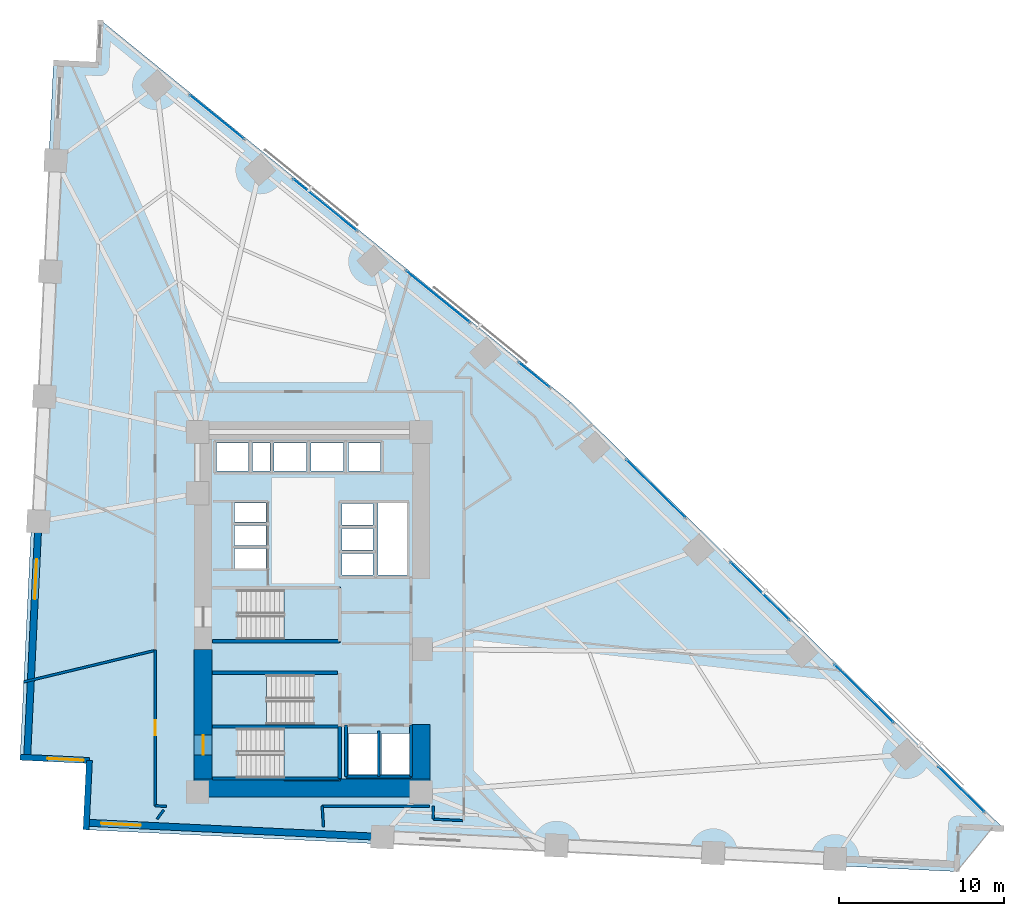
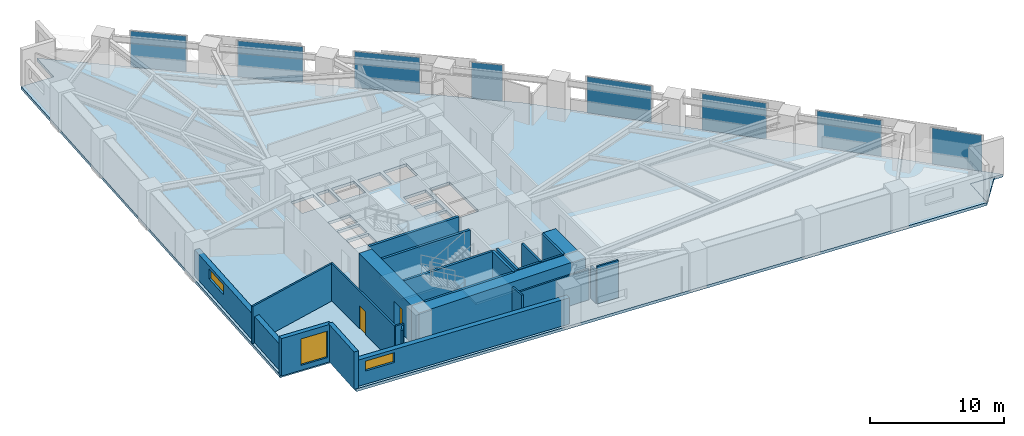
# One storey, part 12 of 17: 24 walls, 8 plates, 5 slabs, 3 windows, 2 doors, 5 openings, 11 elements without a shape of their own.
"""IFC4 building model written with IfcOpenShell, lengths in metres."""

from ifc_helpers import new_model, si_unit, direction, frame, frame_2d, origin, origin_2d, place, context, subcontext, project, spatial, polyline, rectangle, outline, extrude, material, layer, layer_set, type_object, element, fill, aggregate, save


model = new_model("IFC4")

# Units and contexts
model_context = context("Model", 3, precision=1e-05, world=origin(), true_north=direction((0.0, 1.0)))
body_context = subcontext(model_context, "Body", "Model", "MODEL_VIEW")
ifc_project = project(units=[si_unit("LENGTHUNIT", "METRE"), si_unit("AREAUNIT", "SQUARE_METRE"), si_unit("VOLUMEUNIT", "CUBIC_METRE"), si_unit("PLANEANGLEUNIT", "RADIAN"), si_unit("MASSUNIT", "GRAM", prefix="KILO")], contexts=[model_context])

# Site, building, storey
site_placement = place(None, origin())
site = spatial("IfcSite", under=ifc_project, at=site_placement, CompositionType="ELEMENT")
building_placement = place(site_placement, origin())
building = spatial("IfcBuilding", under=site, at=building_placement, Name="Narakoshi Arena Tower", CompositionType="ELEMENT")
storey_placement = place(building_placement, frame((0.0, 0.0, 48.300048828125)))
storey = spatial("IfcBuildingStorey", under=building, at=storey_placement, Name="L12", CompositionType="ELEMENT", Elevation=48.300048828125)

# Curtain wall, plate
ifc_material_1 = material(Name="Anodised bronze aluminium 6063-T6", Category="aluminium")
curtain_wall_type = type_object("IfcCurtainWallType", Name="CW-HYP-LOW", PredefinedType="NOTDEFINED", material=ifc_material_1)
curtain_wall_1_placement = place(storey_placement, origin())
curtain_wall_1 = element("IfcCurtainWall", 1, at=curtain_wall_1_placement, inside=storey, type_object=curtain_wall_type, Name="L12 Folded Hypotenuse Curtain Wall 1-1", PredefinedType="NOTDEFINED")
ifc_material_2 = material(Name="Bronze-tinted low-E laminated glass", Category="glass")
ifc_layer_1 = layer(ifc_material_2, 0.031982421875)
ifc_layer_set_1 = layer_set([ifc_layer_1], Name="Bronze-tinted low-E laminated glass")
plate_type = type_object("IfcPlateType", Name="PLT-GLZ-32", PredefinedType="CURTAIN_PANEL", material=ifc_layer_set_1)
plate_1_placement = place(storey_placement, frame((118.277587890625, 34.8505859375, 0.06494140625), z_axis=(0.0, 0.0, 1.0), x_axis=(-0.712541277695, 0.701630192894, 0.0)))
plate_1 = element("IfcPlate", 2, at=plate_1_placement, type_object=plate_type, Name="CW-01 panel 1.1", PredefinedType="CURTAIN_PANEL", context=body_context, shape_type="SweptSolid", body=[
    extrude(rectangle(XDim=3.85498046875, YDim=0.031982421875, at=origin_2d()), origin(), (0.0, 0.0, 1.0), 3.27001953125),
])
aggregate(curtain_wall_1, [plate_1])

curtain_wall_2_placement = place(storey_placement, origin())
curtain_wall_2 = element("IfcCurtainWall", 3, at=curtain_wall_2_placement, inside=storey, type_object=curtain_wall_type, Name="L12 Folded Hypotenuse Curtain Wall 1-2", PredefinedType="NOTDEFINED")
plate_2_placement = place(storey_placement, frame((112.375, 40.66259765625, 0.06494140625), z_axis=(0.0, 0.0, 1.0), x_axis=(-0.712548329451, 0.701623031404, 0.0)))
plate_2 = element("IfcPlate", 4, at=plate_2_placement, type_object=plate_type, Name="CW-01 panel 1.1", PredefinedType="CURTAIN_PANEL", context=body_context, shape_type="SweptSolid", body=[
    extrude(rectangle(XDim=4.966552734375, YDim=0.031982421875, at=origin_2d()), origin(), (0.0, 0.0, 1.0), 3.27001953125),
])
aggregate(curtain_wall_2, [plate_2])

curtain_wall_3_placement = place(storey_placement, origin())
curtain_wall_3 = element("IfcCurtainWall", 5, at=curtain_wall_3_placement, inside=storey, type_object=curtain_wall_type, Name="L12 Folded Hypotenuse Curtain Wall 1-3", PredefinedType="NOTDEFINED")
plate_3_placement = place(storey_placement, frame((106.07666015625, 46.864501953125, 0.06494140625), z_axis=(0.0, 0.0, 1.0), x_axis=(-0.712538708053, 0.701632802488, 0.0)))
plate_3 = element("IfcPlate", 6, at=plate_3_placement, type_object=plate_type, Name="CW-01 panel 1.1", PredefinedType="CURTAIN_PANEL", context=body_context, shape_type="SweptSolid", body=[
    extrude(rectangle(XDim=4.966552734375, YDim=0.031982421875, at=origin_2d()), origin(), (0.0, 0.0, 1.0), 3.27001953125),
])
aggregate(curtain_wall_3, [plate_3])

curtain_wall_4_placement = place(storey_placement, origin())
curtain_wall_4 = element("IfcCurtainWall", 7, at=curtain_wall_4_placement, inside=storey, type_object=curtain_wall_type, Name="L12 Folded Hypotenuse Curtain Wall 1-4", PredefinedType="NOTDEFINED")
plate_4_placement = place(storey_placement, frame((99.7783203125, 53.06640625, 0.06494140625), z_axis=(0.0, 0.0, 1.0), x_axis=(-0.712538708053, 0.701632802488, 0.0)))
plate_4 = element("IfcPlate", 8, at=plate_4_placement, type_object=plate_type, Name="CW-01 panel 1.1", PredefinedType="CURTAIN_PANEL", context=body_context, shape_type="SweptSolid", body=[
    extrude(rectangle(XDim=4.966552734375, YDim=0.031982421875, at=origin_2d()), origin(), (0.0, 0.0, 1.0), 3.27001953125),
])
aggregate(curtain_wall_4, [plate_4])

curtain_wall_5_placement = place(storey_placement, origin())
curtain_wall_5 = element("IfcCurtainWall", 9, at=curtain_wall_5_placement, inside=storey, type_object=curtain_wall_type, Name="L12 Folded Hypotenuse Curtain Wall 2-1", PredefinedType="NOTDEFINED")
plate_5_placement = place(storey_placement, frame((92.40087890625, 59.964111328125, 0.06494140625), z_axis=(0.0, 0.0, 1.0), x_axis=(-0.776007918256, 0.63072316495, 0.0)))
plate_5 = element("IfcPlate", 10, at=plate_5_placement, type_object=plate_type, Name="CW-01 panel 1.1", PredefinedType="CURTAIN_PANEL", context=body_context, shape_type="SweptSolid", body=[
    extrude(rectangle(XDim=2.35888671875, YDim=0.031982421875, at=origin_2d()), origin(), (0.0, 0.0, 1.0), 3.27001953125),
])
aggregate(curtain_wall_5, [plate_5])

curtain_wall_6_placement = place(storey_placement, origin())
curtain_wall_6 = element("IfcCurtainWall", 11, at=curtain_wall_6_placement, inside=storey, type_object=curtain_wall_type, Name="L12 Folded Hypotenuse Curtain Wall 2-2", PredefinedType="NOTDEFINED")
plate_6_placement = place(storey_placement, frame((86.566650390625, 64.7060546875, 0.06494140625), z_axis=(0.0, 0.0, 1.0), x_axis=(-0.775998434519, 0.630734833051, 0.0)))
plate_6 = element("IfcPlate", 12, at=plate_6_placement, type_object=plate_type, Name="CW-01 panel 1.1", PredefinedType="CURTAIN_PANEL", context=body_context, shape_type="SweptSolid", body=[
    extrude(rectangle(XDim=4.932373046875, YDim=0.031982421875, at=origin_2d()), origin(), (0.0, 0.0, 1.0), 3.27001953125),
])
aggregate(curtain_wall_6, [plate_6])

curtain_wall_7_placement = place(storey_placement, origin())
curtain_wall_7 = element("IfcCurtainWall", 13, at=curtain_wall_7_placement, inside=storey, type_object=curtain_wall_type, Name="L12 Folded Hypotenuse Curtain Wall 2-3", PredefinedType="NOTDEFINED")
plate_7_placement = place(storey_placement, frame((79.73388671875, 70.259765625, 0.06494140625), z_axis=(0.0, 0.0, 1.0), x_axis=(-0.776008064665, 0.630722984816, 0.0)))
plate_7 = element("IfcPlate", 14, at=plate_7_placement, type_object=plate_type, Name="CW-01 panel 1.1", PredefinedType="CURTAIN_PANEL", context=body_context, shape_type="SweptSolid", body=[
    extrude(rectangle(XDim=4.932373046875, YDim=0.031982421875, at=origin_2d()), origin(), (0.0, 0.0, 1.0), 3.27001953125),
])
aggregate(curtain_wall_7, [plate_7])

curtain_wall_8_placement = place(storey_placement, origin())
curtain_wall_8 = element("IfcCurtainWall", 15, at=curtain_wall_8_placement, inside=storey, type_object=curtain_wall_type, Name="L12 Folded Hypotenuse Curtain Wall 2-4", PredefinedType="NOTDEFINED")
plate_8_placement = place(storey_placement, frame((73.18603515625, 75.58203125, 0.06494140625), z_axis=(0.0, 0.0, 1.0), x_axis=(-0.775999332044, 0.630733728817, 0.0)))
plate_8 = element("IfcPlate", 16, at=plate_8_placement, type_object=plate_type, Name="CW-01 panel 1.1", PredefinedType="CURTAIN_PANEL", context=body_context, shape_type="SweptSolid", body=[
    extrude(rectangle(XDim=4.198486328125, YDim=0.031982421875, at=origin_2d()), origin(), (0.0, 0.0, 1.0), 3.27001953125),
])
aggregate(curtain_wall_8, [plate_8])

# Stair, slab
ifc_material_3 = material(Name="Concrete C45/55", Category="concrete")
stair_type = type_object("IfcStairType", Name="STR-CORE-360", PredefinedType="TWO_STRAIGHT_RUN_STAIR", material=ifc_material_3)
stair_1_placement = place(storey_placement, origin())
stair_1 = element("IfcStair", 17, at=stair_1_placement, inside=storey, type_object=stair_type, Name="L12 Core Escape Stair ST1", PredefinedType="TWO_STRAIGHT_RUN_STAIR")
ifc_layer_2 = layer(ifc_material_3, 0.18994140625)
ifc_layer_set_2 = layer_set([ifc_layer_2], Name="Concrete C45/55")
slab_type_1 = type_object("IfcSlabType", Name="SLB-LND-190", PredefinedType="LANDING", material=ifc_layer_set_2)
slab_1_placement = place(storey_placement, frame((0.0, 0.0, 1.60986328125)))
slab_1 = element("IfcSlab", 18, at=slab_1_placement, type_object=slab_type_1, Name="ST1 landing 1", PredefinedType="LANDING", context=body_context, shape_type="SweptSolid", body=[
    extrude(outline(polyline([(77.25, 35.3701171875), (80.679931640625, 35.3701171875), (80.679931640625, 38.72998046875), (77.25, 38.72998046875), (77.25, 35.3701171875)])), origin(), (0.0, 0.0, 1.0), 0.190185546875),
])
aggregate(stair_1, [slab_1])

stair_2_placement = place(storey_placement, origin())
stair_2 = element("IfcStair", 19, at=stair_2_placement, inside=storey, type_object=stair_type, Name="L12 Core Escape Stair ST2", PredefinedType="TWO_STRAIGHT_RUN_STAIR")
slab_2_placement = place(storey_placement, frame((0.0, 0.0, 1.60986328125)))
slab_2 = element("IfcSlab", 20, at=slab_2_placement, type_object=slab_type_1, Name="ST2 landing 1", PredefinedType="LANDING", context=body_context, shape_type="SweptSolid", body=[
    extrude(outline(polyline([(72.77001953125, 38.6201171875), (76.199951171875, 38.6201171875), (76.199951171875, 41.97998046875), (72.77001953125, 41.97998046875), (72.77001953125, 38.6201171875)])), origin(), (0.0, 0.0, 1.0), 0.190185546875),
])
aggregate(stair_2, [slab_2])

stair_3_placement = place(storey_placement, origin())
stair_3 = element("IfcStair", 21, at=stair_3_placement, inside=storey, type_object=stair_type, Name="L12 Core Escape Stair ST3", PredefinedType="TWO_STRAIGHT_RUN_STAIR")
slab_3_placement = place(storey_placement, frame((0.0, 0.0, 1.60986328125)))
slab_3 = element("IfcSlab", 22, at=slab_3_placement, type_object=slab_type_1, Name="ST3 landing 1", PredefinedType="LANDING", context=body_context, shape_type="SweptSolid", body=[
    extrude(outline(polyline([(77.25, 43.77001953125), (80.679931640625, 43.77001953125), (80.679931640625, 47.1298828125), (77.25, 47.1298828125), (77.25, 43.77001953125)])), origin(), (0.0, 0.0, 1.0), 0.190185546875),
])
aggregate(stair_3, [slab_3])

# Slabs
ifc_material_4 = material(Name="Concrete C50/60", Category="concrete")
ifc_layer_3 = layer(ifc_material_4, 0.260009765625)
ifc_layer_set_3 = layer_set([ifc_layer_3], Name="Concrete C50/60")
slab_type_2 = type_object("IfcSlabType", Name="SLB-SKY-260", PredefinedType="FLOOR", material=ifc_layer_set_3)
slab_4_placement = place(storey_placement, frame((0.0, 0.0, -0.260009765625)))
element("IfcSlab", 23, at=slab_4_placement, inside=storey, type_object=slab_type_2, Name="L12 Structural Floor Slab", PredefinedType="FLOOR", context=body_context, shape_type="SweptSolid", body=[
    extrude(outline(polyline([(65.26025390625, 32.416015625), (117.99951171875, 29.8828125), (118.130615234375, 32.609619140625), (120.857421875, 32.478515625), (94.614013671875, 58.31982421875), (66.144287109375, 81.4599609375), (66.013427734375, 78.733154296875), (63.28662109375, 78.8642578125), (61.2666015625, 36.8125), (65.4619140625, 36.611083984375), (65.26025390625, 32.416015625)]), holes=[polyline([(74.47998046875, 35.550048828125), (74.47998046875, 38.550048828125), (80.5, 38.550048828125), (80.5, 35.550048828125), (74.47998046875, 35.550048828125)]), polyline([(81.14990234375, 35.75), (81.14990234375, 38.25), (82.89990234375, 38.25), (82.89990234375, 35.75), (81.14990234375, 35.75)]), polyline([(83.14990234375, 35.75), (83.14990234375, 38.25), (84.89990234375, 38.25), (84.89990234375, 35.75), (83.14990234375, 35.75)]), polyline([(72.949951171875, 38.800048828125), (72.949951171875, 41.800048828125), (78.969970703125, 41.800048828125), (78.969970703125, 38.800048828125), (72.949951171875, 38.800048828125)]), polyline([(74.47998046875, 43.949951171875), (74.47998046875, 46.949951171875), (80.5, 46.949951171875), (80.5, 43.949951171875), (74.47998046875, 43.949951171875)]), polyline([(82.949951171875, 47.840087890625), (82.949951171875, 52.199951171875), (84.699951171875, 52.199951171875), (84.699951171875, 47.840087890625), (82.949951171875, 47.840087890625)]), polyline([(80.75, 47.85009765625), (80.75, 49.14990234375), (82.64990234375, 49.14990234375), (82.64990234375, 47.85009765625), (80.75, 47.85009765625)]), polyline([(74.25, 48.25), (74.25, 49.449951171875), (76.14990234375, 49.449951171875), (76.14990234375, 48.25), (74.25, 48.25)]), polyline([(80.75, 49.3701171875), (80.75, 50.669921875), (82.64990234375, 50.669921875), (82.64990234375, 49.3701171875), (80.75, 49.3701171875)]), polyline([(74.25, 49.64990234375), (74.25, 50.85009765625), (76.14990234375, 50.85009765625), (76.14990234375, 49.64990234375), (74.25, 49.64990234375)]), polyline([(80.75, 50.889892578125), (80.75, 52.18994140625), (82.64990234375, 52.18994140625), (82.64990234375, 50.889892578125), (80.75, 50.889892578125)]), polyline([(74.25, 51.050048828125), (74.25, 52.2099609375), (76.14990234375, 52.2099609375), (76.14990234375, 51.050048828125), (74.25, 51.050048828125)]), polyline([(73.14990234375, 54.14990234375), (73.14990234375, 55.85009765625), (75.10009765625, 55.85009765625), (75.10009765625, 54.14990234375), (73.14990234375, 54.14990234375)]), polyline([(75.35009765625, 54.14990234375), (75.35009765625, 55.85009765625), (76.39990234375, 55.85009765625), (76.39990234375, 54.14990234375), (75.35009765625, 54.14990234375)]), polyline([(76.64990234375, 54.14990234375), (76.64990234375, 55.85009765625), (78.60009765625, 55.85009765625), (78.60009765625, 54.14990234375), (76.64990234375, 54.14990234375)]), polyline([(78.89990234375, 55.85009765625), (80.85009765625, 55.85009765625), (80.85009765625, 54.14990234375), (78.89990234375, 54.14990234375), (78.89990234375, 55.85009765625)]), polyline([(81.14990234375, 55.85009765625), (83.10009765625, 55.85009765625), (83.10009765625, 54.14990234375), (81.14990234375, 54.14990234375), (81.14990234375, 55.85009765625)])]), origin(), (0.0, 0.0, 1.0), 0.260009765625),
])
ifc_layer_4 = layer(ifc_material_3, 0.239990234375)
ifc_layer_set_4 = layer_set([ifc_layer_4], Name="Concrete C45/55")
slab_type_3 = type_object("IfcSlabType", Name="SLB-TERR-240", PredefinedType="ROOF", material=ifc_layer_set_4)
slab_5_placement = place(storey_placement, frame((0.0, 0.0, -0.239990234375)))
element("IfcSlab", 24, at=slab_5_placement, inside=storey, type_object=slab_type_3, Name="L12 Corner Notch Loggia Balcony Slab", PredefinedType="ROOF", context=body_context, shape_type="SweptSolid", body=[
    extrude(outline(polyline([(120.14697265625, 32.510986328125), (118.132080078125, 32.60791015625), (118.001953125, 29.885009765625), (120.14697265625, 32.510986328125)])), origin(), (0.0, 0.0, 1.0), 0.239990234375),
])

# Wall, opening, door
ifc_material_5 = material(Name="Concrete C60/75", Category="concrete")
ifc_layer_5 = layer(ifc_material_5, 1.10009765625)
ifc_layer_set_5 = layer_set([ifc_layer_5], Name="Concrete C60/75")
wall_type_1 = type_object("IfcWallType", Name="WL-CORE-1100", PredefinedType="SHEAR", material=ifc_layer_set_5)
wall_1_placement = place(storey_placement, frame((72.35009765625, 35.5, -0.260009765625), z_axis=(0.0, 0.0, 1.0), x_axis=(0.0, 1.0, 0.0)))
wall_1 = element("IfcWall", 25, at=wall_1_placement, inside=storey, type_object=wall_type_1, Name="L12 Central Core Shear Wall CW-APX-W", PredefinedType="SHEAR", context=body_context, shape_type="SweptSolid", body=[
    extrude(rectangle(XDim=7.85009765625, YDim=1.10009765625, at=frame_2d((3.925048828125, 0.0))), origin(), (0.0, 0.0, 1.0), 3.659912109375),
])
opening_1_placement = place(wall_1_placement, frame((1.449951171875, 0.0, 0.260009765625)))
opening_1 = element("IfcOpeningElement", 26, at=opening_1_placement, cuts=wall_1, Name="Opening D-03", PredefinedType="OPENING", context=body_context, shape_type="SweptSolid", body=[
    extrude(rectangle(XDim=1.199951171875, YDim=2.199951171875, at=frame_2d((0.60009765625, 1.10009765625))), frame((0.0, 0.56005859375, 0.0), z_axis=(0.0, -1.0, 0.0), x_axis=(1.0, 0.0, 0.0)), (0.0, 0.0, 1.0), 1.1201171875),
])
ifc_material_6 = material(Name="Painted galvanized steel", Category="steel")
door_type_1 = type_object("IfcDoorType", Name="DR-STR-1200", OperationType="NOTDEFINED", PredefinedType="USERDEFINED", material=ifc_material_6)
door_1_placement = place(opening_1_placement, frame((1.199951171875, 0.0, 0.0), z_axis=(0.0, 0.0, 1.0), x_axis=(-1.0, 0.0, 0.0)))
door_1 = element("IfcDoor", 27, at=door_1_placement, inside=storey, type_object=door_type_1, Name="DR-L12-002", ObjectType="EXITDOOR", OperationType="SINGLE_SWING_LEFT", OverallHeight=2.199951171875, OverallWidth=1.199951171875, PredefinedType="USERDEFINED", context=body_context, shape_type="SweptSolid", body=[
    extrude(rectangle(XDim=1.199951171875, YDim=2.199951171875, at=frame_2d((0.60009765625, 1.10009765625))), frame((0.0, 0.02490234375, 0.0), z_axis=(0.0, -1.0, 0.0), x_axis=(1.0, 0.0, 0.0)), (0.0, 0.0, 1.0), 0.050048828125),
])
fill(opening_1, door_1)

# Walls
wall_2_placement = place(storey_placement, frame((71.800048828125, 34.949951171875, -0.260009765625), z_axis=(0.0, 0.0, 1.0), x_axis=(1.0, 0.0, 0.0)))
element("IfcWall", 28, at=wall_2_placement, inside=storey, type_object=wall_type_1, Name="L12 Central Core Shear Wall CW-APX-S", PredefinedType="SHEAR", context=body_context, shape_type="SweptSolid", body=[
    extrude(rectangle(XDim=14.300048828125, YDim=1.10009765625, at=frame_2d((7.14990234375, 0.0))), origin(), (0.0, 0.0, 1.0), 3.659912109375),
])
wall_3_placement = place(storey_placement, frame((85.550048828125, 35.5, -0.260009765625), z_axis=(0.0, 0.0, 1.0), x_axis=(0.0, 1.0, 0.0)))
element("IfcWall", 29, at=wall_3_placement, inside=storey, type_object=wall_type_1, Name="L12 Central Core Shear Wall CW-APX-E", PredefinedType="SHEAR", context=body_context, shape_type="SweptSolid", body=[
    extrude(rectangle(XDim=3.300048828125, YDim=1.10009765625, at=frame_2d((1.64990234375, 0.0))), origin(), (0.0, 0.0, 1.0), 3.659912109375),
])

# Wall, opening, window
ifc_material_7 = material(Name="Precast concrete C45/55", Category="concrete")
ifc_layer_6 = layer(ifc_material_7, 0.419921875)
ifc_layer_set_6 = layer_set([ifc_layer_6], Name="Precast concrete C45/55")
wall_type_2 = type_object("IfcWallType", Name="WL-POD-420", PredefinedType="SOLIDWALL", material=ifc_layer_set_6)
wall_4_placement = place(storey_placement, frame((65.28076171875, 32.840576171875, 0.0), z_axis=(0.0, 0.0, 1.0), x_axis=(0.998848298084, -0.047979968897, 0.0)))
wall_4 = element("IfcWall", 30, at=wall_4_placement, inside=storey, type_object=wall_type_2, Name="L12 Architectural Concrete Facade Wall LEGA-1", PredefinedType="SOLIDWALL", context=body_context, shape_type="SweptSolid", body=[
    extrude(rectangle(XDim=17.951904296875, YDim=0.419921875, at=frame_2d((8.97607421875, 0.0))), origin(), (0.0, 0.0, 1.0), 2.385009765625),
])
opening_2_placement = place(wall_4_placement, frame((0.89990234375, 0.0, 1.199951171875)))
opening_2 = element("IfcOpeningElement", 31, at=opening_2_placement, cuts=wall_4, Name="Opening WN-01", PredefinedType="OPENING", context=body_context, shape_type="SweptSolid", body=[
    extrude(rectangle(XDim=2.39990234375, YDim=0.89990234375, at=frame_2d((1.199951171875, 0.449951171875))), frame((0.0, 0.219970703125, 0.0), z_axis=(0.0, -1.0, 0.0), x_axis=(1.0, 0.0, 0.0)), (0.0, 0.0, 1.0), 0.43994140625),
])
window_type_1 = type_object("IfcWindowType", Name="WIN-SLT-24x09", PartitioningType="SINGLE_PANEL", PredefinedType="WINDOW", material=ifc_material_2)
window_1_placement = place(opening_2_placement, origin())
window_1 = element("IfcWindow", 32, at=window_1_placement, inside=storey, type_object=window_type_1, Name="L12 LEGA1 Horizontal Slot Window 1", OverallHeight=0.89990234375, OverallWidth=2.39990234375, PartitioningType="SINGLE_PANEL", PredefinedType="WINDOW", context=body_context, shape_type="SweptSolid", body=[
    extrude(rectangle(XDim=2.39990234375, YDim=0.89990234375, at=frame_2d((1.199951171875, 0.449951171875))), frame((0.0, 0.030029296875, 0.0), z_axis=(0.0, -1.0, 0.0), x_axis=(1.0, 0.0, 0.0)), (0.0, 0.0, 1.0), 0.06005859375),
])
fill(opening_2, window_1)

wall_5_placement = place(storey_placement, frame((62.3779296875, 51.08984375, 0.0), z_axis=(0.0, 0.0, 1.0), x_axis=(-0.047978424452, -0.99884837227, 0.0)))
wall_5 = element("IfcWall", 33, at=wall_5_placement, inside=storey, type_object=wall_type_2, Name="L12 Architectural Concrete Facade Wall LEGB-3", PredefinedType="SOLIDWALL", context=body_context, shape_type="SweptSolid", body=[
    extrude(rectangle(XDim=14.314208984375, YDim=0.419921875, at=frame_2d((7.1572265625, 0.0))), origin(), (0.0, 0.0, 1.0), 2.385009765625),
])
opening_3_placement = place(wall_5_placement, frame((2.300048828125, 0.0, 1.199951171875)))
opening_3 = element("IfcOpeningElement", 34, at=opening_3_placement, cuts=wall_5, Name="Opening WN-01", PredefinedType="OPENING", context=body_context, shape_type="SweptSolid", body=[
    extrude(rectangle(XDim=2.39990234375, YDim=0.89990234375, at=frame_2d((1.199951171875, 0.449951171875))), frame((0.0, 0.219970703125, 0.0), z_axis=(0.0, -1.0, 0.0), x_axis=(1.0, 0.0, 0.0)), (0.0, 0.0, 1.0), 0.43994140625),
])
window_2_placement = place(opening_3_placement, origin())
window_2 = element("IfcWindow", 35, at=window_2_placement, inside=storey, type_object=window_type_1, Name="L12 LEGB3 Horizontal Slot Window 1", OverallHeight=0.89990234375, OverallWidth=2.39990234375, PartitioningType="SINGLE_PANEL", PredefinedType="WINDOW", context=body_context, shape_type="SweptSolid", body=[
    extrude(rectangle(XDim=2.39990234375, YDim=0.89990234375, at=frame_2d((1.199951171875, 0.449951171875))), frame((0.0, 0.030029296875, 0.0), z_axis=(0.0, -1.0, 0.0), x_axis=(1.0, 0.0, 0.0)), (0.0, 0.0, 1.0), 0.06005859375),
])
fill(opening_3, window_2)

wall_6_placement = place(storey_placement, frame((61.2666015625, 36.8125, 0.0), z_axis=(0.0, 0.0, 1.0), x_axis=(0.998849519138, -0.047954542207, 0.0)))
wall_6 = element("IfcWall", 36, at=wall_6_placement, inside=storey, type_object=wall_type_2, Name="L12 Re-Entrant Corner Notch Wall NTA-1", PredefinedType="SOLIDWALL", context=body_context, shape_type="SweptSolid", body=[
    extrude(rectangle(XDim=4.2001953125, YDim=0.360107421875, at=frame_2d((2.10009765625, 0.0))), origin(), (0.0, 0.0, 1.0), 3.39990234375),
])
opening_4_placement = place(wall_6_placement, frame((1.659912109375, 0.0, 0.449951171875)))
opening_4 = element("IfcOpeningElement", 37, at=opening_4_placement, cuts=wall_6, Name="Opening WN-07", PredefinedType="OPENING", context=body_context, shape_type="SweptSolid", body=[
    extrude(rectangle(XDim=2.199951171875, YDim=2.39990234375, at=frame_2d((1.10009765625, 1.199951171875))), frame((0.0, 0.18994140625, 0.0), z_axis=(0.0, -1.0, 0.0), x_axis=(1.0, 0.0, 0.0)), (0.0, 0.0, 1.0), 0.380126953125),
])
window_type_2 = type_object("IfcWindowType", Name="WIN-NTC-22x24", PartitioningType="SINGLE_PANEL", PredefinedType="WINDOW", material=ifc_material_2)
window_3_placement = place(opening_4_placement, origin())
window_3 = element("IfcWindow", 38, at=window_3_placement, inside=storey, type_object=window_type_2, Name="L12 Corner Notch Window NTA", OverallHeight=2.39990234375, OverallWidth=2.199951171875, PartitioningType="SINGLE_PANEL", PredefinedType="WINDOW", context=body_context, shape_type="SweptSolid", body=[
    extrude(rectangle(XDim=2.199951171875, YDim=2.39990234375, at=frame_2d((1.10009765625, 1.199951171875))), frame((0.0, 0.030029296875, 0.0), z_axis=(0.0, -1.0, 0.0), x_axis=(1.0, 0.0, 0.0)), (0.0, 0.0, 1.0), 0.06005859375),
])
fill(opening_4, window_3)

# Walls
wall_7_placement = place(storey_placement, frame((65.4619140625, 36.611083984375, 0.0), z_axis=(0.0, 0.0, 1.0), x_axis=(-0.048015322758, -0.998846599224, 0.0)))
element("IfcWall", 39, at=wall_7_placement, inside=storey, type_object=wall_type_2, Name="L12 Re-Entrant Corner Notch Wall NTA-2", PredefinedType="SOLIDWALL", context=body_context, shape_type="SweptSolid", body=[
    extrude(rectangle(XDim=4.199951171875, YDim=0.360107421875, at=frame_2d((2.10009765625, 0.0))), origin(), (0.0, 0.0, 1.0), 3.39990234375),
])
ifc_material_8 = material(Name="Concrete C40/50", Category="concrete")
ifc_layer_7 = layer(ifc_material_8, 0.280029296875)
ifc_layer_set_7 = layer_set([ifc_layer_7], Name="Concrete C40/50")
wall_type_3 = type_object("IfcWallType", Name="WL-RISER-280", PredefinedType="PLUMBINGWALL", material=ifc_layer_set_7)
wall_8_placement = place(storey_placement, frame((83.0, 35.64990234375, 0.0), z_axis=(0.0, 0.0, 1.0), x_axis=(0.0, 1.0, 0.0)))
element("IfcWall", 40, at=wall_8_placement, inside=storey, type_object=wall_type_3, Name="L12 Core Wall FF-DIV", PredefinedType="PLUMBINGWALL", context=body_context, shape_type="SweptSolid", body=[
    extrude(rectangle(XDim=2.75, YDim=0.159912109375, at=frame_2d((1.375, 0.0))), origin(), (0.0, 0.0, 1.0), 3.39990234375),
])
ifc_layer_8 = layer(ifc_material_4, 0.35009765625)
ifc_layer_set_8 = layer_set([ifc_layer_8], Name="Concrete C50/60")
wall_type_4 = type_object("IfcWallType", Name="WL-SHAFT-350", PredefinedType="SOLIDWALL", material=ifc_layer_set_8)
for number, where, z_axis, x_axis, name in (
    (41, (72.919921875, 35.52001953125, -0.260009765625), (0.0, 0.0, 1.0), (1.0, 0.0, 0.0), "L12 Core Wall ST1-S"),
    (42, (72.919921875, 38.675048828125, -0.260009765625), (0.0, 0.0, 1.0), (1.0, 0.0, 0.0), "L12 Core Wall ST12-DIV"),
):
    element("IfcWall", number, at=place(storey_placement, frame(where, z_axis=z_axis, x_axis=x_axis)), inside=storey, type_object=wall_type_4, Name=name, PredefinedType="SOLIDWALL", context=body_context, shape_type="SweptSolid", body=[
        extrude(rectangle(XDim=7.7001953125, YDim=0.199951171875, at=frame_2d((3.85009765625, 0.0))), origin(), (0.0, 0.0, 1.0), 3.659912109375),
    ])
wall_9_placement = place(storey_placement, frame((80.6201171875, 35.52001953125, -0.260009765625), z_axis=(0.0, 0.0, 1.0), x_axis=(0.0, 1.0, 0.0)))
element("IfcWall", 43, at=wall_9_placement, inside=storey, type_object=wall_type_4, Name="L12 Core Wall ST1-E", PredefinedType="SOLIDWALL", context=body_context, shape_type="SweptSolid", body=[
    extrude(rectangle(XDim=3.155029296875, YDim=0.199951171875, at=frame_2d((1.57763671875, 0.0))), origin(), (0.0, 0.0, 1.0), 3.659912109375),
])
for number, where, z_axis, x_axis, name in (
    (44, (84.949951171875, 35.64990234375, 0.0), (0.0, 0.0, 1.0), (0.0, 1.0, 0.0), "L12 Core Wall FF-E"),
    (45, (81.02001953125, 35.64990234375, 0.0), (0.0, 0.0, 1.0), (0.0, 1.0, 0.0), "L12 Core Wall FF-W"),
):
    element("IfcWall", number, at=place(storey_placement, frame(where, z_axis=z_axis, x_axis=x_axis)), inside=storey, type_object=wall_type_4, Name=name, PredefinedType="SOLIDWALL", context=body_context, shape_type="SweptSolid", body=[
        extrude(rectangle(XDim=3.10009765625, YDim=0.179931640625, at=frame_2d((1.550048828125, 0.0))), origin(), (0.0, 0.0, 1.0), 3.39990234375),
    ])
wall_10_placement = place(storey_placement, frame((81.02001953125, 35.64990234375, 0.0), z_axis=(0.0, 0.0, 1.0), x_axis=(1.0, 0.0, 0.0)))
element("IfcWall", 46, at=wall_10_placement, inside=storey, type_object=wall_type_4, Name="L12 Core Wall FF-S", PredefinedType="SOLIDWALL", context=body_context, shape_type="SweptSolid", body=[
    extrude(rectangle(XDim=3.929931640625, YDim=0.179931640625, at=frame_2d((1.96484375, 0.0))), origin(), (0.0, 0.0, 1.0), 3.39990234375),
])
wall_11_placement = place(storey_placement, frame((72.919921875, 41.919921875, -0.260009765625), z_axis=(0.0, 0.0, 1.0), x_axis=(1.0, 0.0, 0.0)))
element("IfcWall", 47, at=wall_11_placement, inside=storey, type_object=wall_type_4, Name="L12 Core Wall ST2-N", PredefinedType="SOLIDWALL", context=body_context, shape_type="SweptSolid", body=[
    extrude(rectangle(XDim=7.580078125, YDim=0.199951171875, at=frame_2d((3.7900390625, 0.0))), origin(), (0.0, 0.0, 1.0), 3.659912109375),
])
wall_12_placement = place(storey_placement, frame((72.919921875, 43.830078125, -0.260009765625), z_axis=(0.0, 0.0, 1.0), x_axis=(1.0, 0.0, 0.0)))
element("IfcWall", 48, at=wall_12_placement, inside=storey, type_object=wall_type_4, Name="L12 Core Wall ST3-S", PredefinedType="SOLIDWALL", context=body_context, shape_type="SweptSolid", body=[
    extrude(rectangle(XDim=7.7001953125, YDim=0.199951171875, at=frame_2d((3.85009765625, 0.0))), origin(), (0.0, 0.0, 1.0), 3.659912109375),
])

# Wall, opening, door
ifc_material_9 = material(Name="Moisture-resistant cement-board partition")
ifc_layer_9 = layer(ifc_material_9, 0.14501953125)
ifc_layer_set_9 = layer_set([ifc_layer_9], Name="Moisture-resistant cement-board partition")
wall_type_5 = type_object("IfcWallType", Name="WL-WET-145", PredefinedType="PARTITIONING", material=ifc_layer_set_9)
wall_13_placement = place(storey_placement, frame((69.449951171875, 43.31689453125, 0.0), z_axis=(0.0, 0.0, 1.0), x_axis=(0.0, -1.0, 0.0)))
wall_13 = element("IfcWall", 49, at=wall_13_placement, inside=storey, type_object=wall_type_5, Name="L12 Corridor Partition 01-1", PredefinedType="PARTITIONING", context=body_context, shape_type="SweptSolid", body=[
    extrude(rectangle(XDim=9.4501953125, YDim=0.14501953125, at=frame_2d((4.72509765625, 0.0))), origin(), (0.0, 0.0, 1.0), 3.39990234375),
])
opening_5_placement = place(wall_13_placement, frame((4.275146484375, 0.0, 0.0)))
opening_5 = element("IfcOpeningElement", 50, at=opening_5_placement, cuts=wall_13, Name="Opening D-08", PredefinedType="OPENING", context=body_context, shape_type="SweptSolid", body=[
    extrude(rectangle(XDim=0.89990234375, YDim=2.10009765625, at=frame_2d((0.449951171875, 1.050048828125))), frame((0.0, 0.08251953125, 0.0), z_axis=(0.0, -1.0, 0.0), x_axis=(1.0, 0.0, 0.0)), (0.0, 0.0, 1.0), 0.1650390625),
])
ifc_material_10 = material(Name="Moisture-resistant laminate timber", Category="wood")
door_type_2 = type_object("IfcDoorType", Name="DR-WC-900", OperationType="NOTDEFINED", PredefinedType="DOOR", material=ifc_material_10)
door_2_placement = place(opening_5_placement, frame((0.89990234375, 0.0, 0.0), z_axis=(0.0, 0.0, 1.0), x_axis=(-1.0, 0.0, 0.0)))
door_2 = element("IfcDoor", 51, at=door_2_placement, inside=storey, type_object=door_type_2, Name="DR-L12-014", OperationType="SINGLE_SWING_RIGHT", OverallHeight=2.10009765625, OverallWidth=0.89990234375, PredefinedType="DOOR", context=body_context, shape_type="SweptSolid", body=[
    extrude(rectangle(XDim=0.89990234375, YDim=2.10009765625, at=frame_2d((0.449951171875, 1.050048828125))), frame((0.0, 0.02490234375, 0.0), z_axis=(0.0, -1.0, 0.0), x_axis=(1.0, 0.0, 0.0)), (0.0, 0.0, 1.0), 0.050048828125),
])
fill(opening_5, door_2)

# Walls
wall_14_placement = place(storey_placement, frame((69.449951171875, 33.86669921875, 0.0), z_axis=(0.0, 0.0, 1.0), x_axis=(0.998850124938, -0.047941922272, 0.0)))
element("IfcWall", 52, at=wall_14_placement, inside=storey, type_object=wall_type_5, Name="L12 Corridor Partition 01-2", PredefinedType="PARTITIONING", context=body_context, shape_type="SweptSolid", body=[
    extrude(rectangle(XDim=0.67724609375, YDim=0.14501953125, at=frame_2d((0.338623046875, 0.0))), origin(), (0.0, 0.0, 1.0), 3.39990234375),
])
wall_15_placement = place(storey_placement, frame((61.485595703125, 41.37158203125, 0.0), z_axis=(0.0, 0.0, 1.0), x_axis=(0.97247092841, 0.233024233496, 0.0)))
element("IfcWall", 53, at=wall_15_placement, inside=storey, type_object=wall_type_5, Name="L12 Inter-Room Partition 01-08", PredefinedType="PARTITIONING", context=body_context, shape_type="SweptSolid", body=[
    extrude(rectangle(XDim=8.10302734375, YDim=0.14501953125, at=frame_2d((4.051513671875, 0.0))), origin(), (0.0, 0.0, 1.0), 3.39990234375),
])
wall_16_placement = place(storey_placement, frame((86.300048828125, 33.057373046875, 0.0), z_axis=(0.0, 0.0, 1.0), x_axis=(0.998843945898, -0.048070487232, 0.0)))
element("IfcWall", 54, at=wall_16_placement, inside=storey, type_object=wall_type_5, Name="L12 Corridor Partition 02-2", PredefinedType="PARTITIONING", context=body_context, shape_type="SweptSolid", body=[
    extrude(rectangle(XDim=1.767333984375, YDim=0.14501953125, at=frame_2d((0.8837890625, 0.0))), origin(), (0.0, 0.0, 1.0), 3.39990234375),
])
wall_17_placement = place(storey_placement, frame((86.300048828125, 33.85009765625, 0.0), z_axis=(0.0, 0.0, 1.0), x_axis=(0.0, -1.0, 0.0)))
element("IfcWall", 55, at=wall_17_placement, inside=storey, type_object=wall_type_5, Name="L12 Corridor Partition 02-3", PredefinedType="PARTITIONING", context=body_context, shape_type="SweptSolid", body=[
    extrude(rectangle(XDim=0.792724609375, YDim=0.14501953125, at=frame_2d((0.396484375, 0.0))), origin(), (0.0, 0.0, 1.0), 2.93505859375),
])
wall_18_placement = place(storey_placement, frame((69.9609375, 33.609375, 0.0), z_axis=(0.0, 0.0, 1.0), x_axis=(-0.592569888058, -0.805519042461, 0.0)))
element("IfcWall", 56, at=wall_18_placement, inside=storey, type_object=wall_type_5, Name="L12 Room Enclosure Partition 01-1", PredefinedType="PARTITIONING", context=body_context, shape_type="SweptSolid", body=[
    extrude(rectangle(XDim=0.67529296875, YDim=0.14501953125, at=frame_2d((0.337646484375, 0.0))), origin(), (0.0, 0.0, 1.0), 3.39990234375),
])
wall_19_placement = place(storey_placement, frame((79.5615234375, 33.85009765625, 0.0), z_axis=(0.0, 0.0, 1.0), x_axis=(1.0, 0.0, 0.0)))
element("IfcWall", 57, at=wall_19_placement, inside=storey, type_object=wall_type_5, Name="L12 Room Enclosure Partition 02-1", PredefinedType="PARTITIONING", context=body_context, shape_type="SweptSolid", body=[
    extrude(rectangle(XDim=6.505859375, YDim=0.14501953125, at=frame_2d((3.2529296875, 0.0))), origin(), (0.0, 0.0, 1.0), 2.784912109375),
])
wall_20_placement = place(storey_placement, frame((79.642578125, 32.581298828125, 0.0), z_axis=(0.0, 0.0, 1.0), x_axis=(-0.06375305254, 0.997965704968, 0.0)))
element("IfcWall", 58, at=wall_20_placement, inside=storey, type_object=wall_type_5, Name="L12 Room Enclosure Partition 02-2", PredefinedType="PARTITIONING", context=body_context, shape_type="SweptSolid", body=[
    extrude(rectangle(XDim=1.271484375, YDim=0.14501953125, at=frame_2d((0.6357421875, 0.0))), origin(), (0.0, 0.0, 1.0), 3.39990234375),
])

save(model, "model.ifc")
